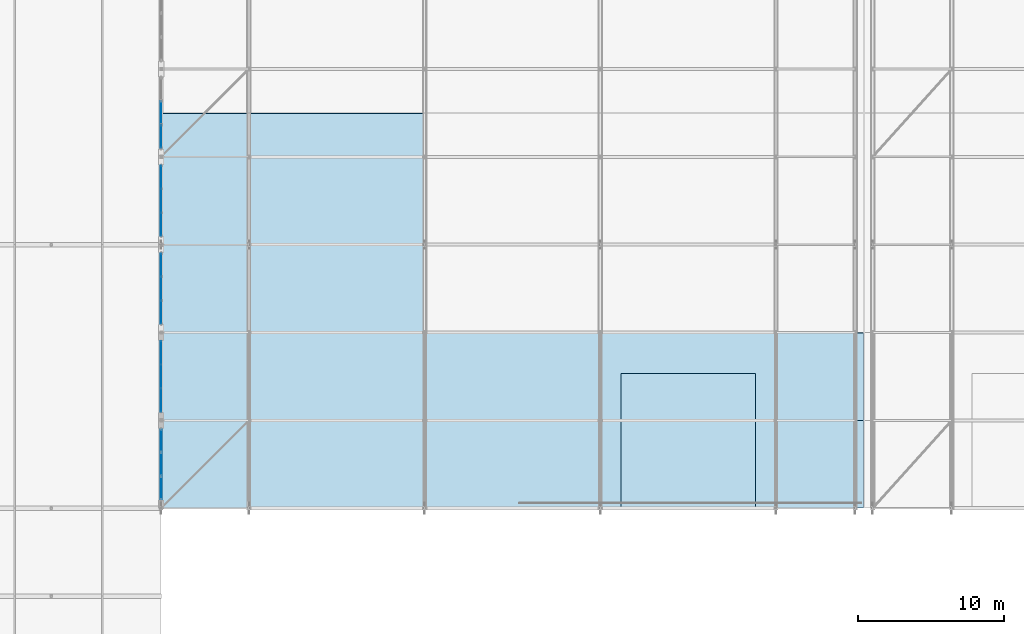
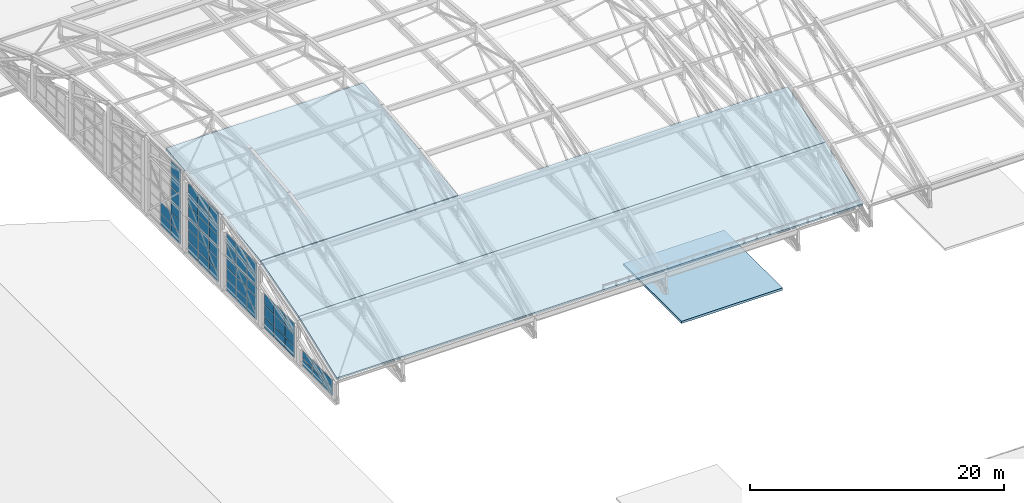
# One storey, part 160 of 204: 56 plates, 4 slabs, 9 elements without a shape of their own.
"""IFC4 building model written with IfcOpenShell, lengths in metres."""

from ifc_helpers import new_model, si_unit, direction, frame, origin, origin_2d, place, context, subcontext, project, spatial, polyline, rectangle, outline, extrude, material, layer, layer_set, type_object, element, aggregate, save


model = new_model("IFC4")

# Units and contexts
model_context = context("Model", 3, precision=1e-05, world=origin(), true_north=direction((0.0, 1.0)))
body_context = subcontext(model_context, "Body", "Model", "MODEL_VIEW")
ifc_project = project(units=[si_unit("LENGTHUNIT", "METRE"), si_unit("AREAUNIT", "SQUARE_METRE"), si_unit("VOLUMEUNIT", "CUBIC_METRE"), si_unit("PLANEANGLEUNIT", "RADIAN"), si_unit("MASSUNIT", "GRAM", prefix="KILO")], contexts=[model_context])

# Site, building, storey
site_placement = place(None, origin())
site = spatial("IfcSite", under=ifc_project, at=site_placement, CompositionType="ELEMENT")
building_placement = place(site_placement, origin())
building = spatial("IfcBuilding", under=site, at=building_placement, Name="Zilviju Railside Exhibition Hall", CompositionType="ELEMENT")
storey_placement = place(building_placement, frame((0.0, 0.0, 21.0)))
storey = spatial("IfcBuildingStorey", under=building, at=storey_placement, Name="RF", CompositionType="ELEMENT", Elevation=21.0)

# Curtain wall, plates
ifc_material_1 = material(Name="Thermally broken aluminium-steel triple-glazed curtain wall", Category="steel")
ifc_layer_1 = layer(ifc_material_1, 0.179931640625)
ifc_layer_set_1 = layer_set([ifc_layer_1], Name="Thermally broken aluminium-steel triple-glazed curtain wall")
curtain_wall_type_1 = type_object("IfcCurtainWallType", Name="CW-BAY-03", PredefinedType="USERDEFINED", material=ifc_layer_set_1)
curtain_wall_1_placement = place(storey_placement, origin())
curtain_wall_1 = element("IfcCurtainWall", 1, at=curtain_wall_1_placement, inside=storey, type_object=curtain_wall_type_1, Name="North Hall Arch Lower Tympanum Glazing West P5", ObjectType="GLAZED CURTAIN WALL", PredefinedType="USERDEFINED")
ifc_material_2 = material(Name="Laminated acoustic double-glazed porch unit", Category="glass")
ifc_layer_2 = layer(ifc_material_2, 0.031982421875)
ifc_layer_set_2 = layer_set([ifc_layer_2], Name="Laminated acoustic double-glazed porch unit")
plate_type_1 = type_object("IfcPlateType", Name="CWP-IGU-32", PredefinedType="CURTAIN_PANEL", material=ifc_layer_set_2)
plate_1_placement = place(storey_placement, frame((78.0, 109.381591796875, -3.5400390625), z_axis=(0.0, 0.0, 1.0), x_axis=(0.0, 1.0, 0.0)))
plate_1 = element("IfcPlate", 2, at=plate_1_placement, type_object=plate_type_1, Name="CW-03 panel 1.1", PredefinedType="CURTAIN_PANEL", context=body_context, shape_type="SweptSolid", body=[
    extrude(rectangle(XDim=1.543212890625, YDim=0.031982421875, at=origin_2d()), origin(), (0.0, 0.0, 1.0), 1.04296875),
])
plate_2_placement = place(storey_placement, frame((78.0, 109.381591796875, -2.43701171875), z_axis=(0.0, 0.0, 1.0), x_axis=(0.0, 1.0, 0.0)))
plate_2 = element("IfcPlate", 3, at=plate_2_placement, type_object=plate_type_1, Name="CW-03 panel 1.2", PredefinedType="CURTAIN_PANEL", context=body_context, shape_type="SweptSolid", body=[
    extrude(rectangle(XDim=1.543212890625, YDim=0.031982421875, at=origin_2d()), origin(), (0.0, 0.0, 1.0), 1.073974609375),
])
plate_3_placement = place(storey_placement, frame((78.0, 109.381591796875, -1.302978515625), z_axis=(0.0, 0.0, 1.0), x_axis=(0.0, 1.0, 0.0)))
plate_3 = element("IfcPlate", 4, at=plate_3_placement, type_object=plate_type_1, Name="CW-03 panel 1.3", PredefinedType="CURTAIN_PANEL", context=body_context, shape_type="SweptSolid", body=[
    extrude(rectangle(XDim=1.543212890625, YDim=0.031982421875, at=origin_2d()), origin(), (0.0, 0.0, 1.0), 1.04296875),
])
plate_4_placement = place(storey_placement, frame((78.0, 111.0, -3.5400390625), z_axis=(0.0, 0.0, 1.0), x_axis=(0.0, 1.0, 0.0)))
plate_4 = element("IfcPlate", 5, at=plate_4_placement, type_object=plate_type_1, Name="CW-03 panel 2.1", PredefinedType="CURTAIN_PANEL", context=body_context, shape_type="SweptSolid", body=[
    extrude(rectangle(XDim=1.5732421875, YDim=0.031982421875, at=origin_2d()), origin(), (0.0, 0.0, 1.0), 1.04296875),
])
plate_5_placement = place(storey_placement, frame((78.0, 111.0, -2.43701171875), z_axis=(0.0, 0.0, 1.0), x_axis=(0.0, 1.0, 0.0)))
plate_5 = element("IfcPlate", 6, at=plate_5_placement, type_object=plate_type_1, Name="CW-03 panel 2.2", PredefinedType="CURTAIN_PANEL", context=body_context, shape_type="SweptSolid", body=[
    extrude(rectangle(XDim=1.5732421875, YDim=0.031982421875, at=origin_2d()), origin(), (0.0, 0.0, 1.0), 1.073974609375),
])
aggregate(curtain_wall_1, [plate_1, plate_2, plate_3, plate_4, plate_5])

ifc_layer_3 = layer(ifc_material_1, 0.179931640625)
ifc_layer_set_3 = layer_set([ifc_layer_3], Name="Thermally broken aluminium-steel triple-glazed curtain wall")
curtain_wall_type_2 = type_object("IfcCurtainWallType", Name="CW-BAY-09", PredefinedType="USERDEFINED", material=ifc_layer_set_3)
curtain_wall_2_placement = place(storey_placement, origin())
curtain_wall_2 = element("IfcCurtainWall", 7, at=curtain_wall_2_placement, inside=storey, type_object=curtain_wall_type_2, Name="North Hall Crown Arch Tympanum Glazing West P4", ObjectType="GLAZED CURTAIN WALL", PredefinedType="USERDEFINED")
plate_6_placement = place(storey_placement, frame((78.0, 103.381591796875, -0.14013671875), z_axis=(0.0, 0.0, 1.0), x_axis=(0.0, 1.0, 0.0)))
plate_6 = element("IfcPlate", 8, at=plate_6_placement, type_object=plate_type_1, Name="CW-09 panel 1.1", PredefinedType="CURTAIN_PANEL", context=body_context, shape_type="SweptSolid", body=[
    extrude(rectangle(XDim=1.543212890625, YDim=0.031982421875, at=origin_2d()), origin(), (0.0, 0.0, 1.0), 1.029052734375),
])
plate_7_placement = place(storey_placement, frame((78.0, 103.381591796875, 0.948974609375), z_axis=(0.0, 0.0, 1.0), x_axis=(0.0, 1.0, 0.0)))
plate_7 = element("IfcPlate", 9, at=plate_7_placement, type_object=plate_type_1, Name="CW-09 panel 1.2", PredefinedType="CURTAIN_PANEL", context=body_context, shape_type="SweptSolid", body=[
    extrude(rectangle(XDim=1.543212890625, YDim=0.031982421875, at=origin_2d()), origin(), (0.0, 0.0, 1.0), 1.05810546875),
])
plate_8_placement = place(storey_placement, frame((78.0, 103.381591796875, 2.06689453125), z_axis=(0.0, 0.0, 1.0), x_axis=(0.0, 1.0, 0.0)))
plate_8 = element("IfcPlate", 10, at=plate_8_placement, type_object=plate_type_1, Name="CW-09 panel 1.3", PredefinedType="CURTAIN_PANEL", context=body_context, shape_type="SweptSolid", body=[
    extrude(rectangle(XDim=1.543212890625, YDim=0.031982421875, at=origin_2d()), origin(), (0.0, 0.0, 1.0), 1.028564453125),
])
plate_9_placement = place(storey_placement, frame((78.0, 105.0, -0.14013671875), z_axis=(0.0, 0.0, 1.0), x_axis=(0.0, 1.0, 0.0)))
plate_9 = element("IfcPlate", 11, at=plate_9_placement, type_object=plate_type_1, Name="CW-09 panel 2.1", PredefinedType="CURTAIN_PANEL", context=body_context, shape_type="SweptSolid", body=[
    extrude(rectangle(XDim=1.5732421875, YDim=0.031982421875, at=origin_2d()), origin(), (0.0, 0.0, 1.0), 1.029052734375),
])
plate_10_placement = place(storey_placement, frame((78.0, 105.0, 0.948974609375), z_axis=(0.0, 0.0, 1.0), x_axis=(0.0, 1.0, 0.0)))
plate_10 = element("IfcPlate", 12, at=plate_10_placement, type_object=plate_type_1, Name="CW-09 panel 2.2", PredefinedType="CURTAIN_PANEL", context=body_context, shape_type="SweptSolid", body=[
    extrude(rectangle(XDim=1.5732421875, YDim=0.031982421875, at=origin_2d()), origin(), (0.0, 0.0, 1.0), 1.05810546875),
])
plate_11_placement = place(storey_placement, frame((78.0, 105.0, 2.06689453125), z_axis=(0.0, 0.0, 1.0), x_axis=(0.0, 1.0, 0.0)))
plate_11 = element("IfcPlate", 13, at=plate_11_placement, type_object=plate_type_1, Name="CW-09 panel 2.3", PredefinedType="CURTAIN_PANEL", context=body_context, shape_type="SweptSolid", body=[
    extrude(rectangle(XDim=1.5732421875, YDim=0.031982421875, at=origin_2d()), origin(), (0.0, 0.0, 1.0), 1.028564453125),
])
plate_12_placement = place(storey_placement, frame((78.0, 106.618408203125, -0.14013671875), z_axis=(0.0, 0.0, 1.0), x_axis=(0.0, 1.0, 0.0)))
plate_12 = element("IfcPlate", 14, at=plate_12_placement, type_object=plate_type_1, Name="CW-09 panel 3.1", PredefinedType="CURTAIN_PANEL", context=body_context, shape_type="SweptSolid", body=[
    extrude(rectangle(XDim=1.543212890625, YDim=0.031982421875, at=origin_2d()), origin(), (0.0, 0.0, 1.0), 1.029052734375),
])
plate_13_placement = place(storey_placement, frame((78.0, 106.618408203125, 0.948974609375), z_axis=(0.0, 0.0, 1.0), x_axis=(0.0, 1.0, 0.0)))
plate_13 = element("IfcPlate", 15, at=plate_13_placement, type_object=plate_type_1, Name="CW-09 panel 3.2", PredefinedType="CURTAIN_PANEL", context=body_context, shape_type="SweptSolid", body=[
    extrude(rectangle(XDim=1.543212890625, YDim=0.031982421875, at=origin_2d()), origin(), (0.0, 0.0, 1.0), 1.05810546875),
])
plate_14_placement = place(storey_placement, frame((78.0, 106.618408203125, 2.06689453125), z_axis=(0.0, 0.0, 1.0), x_axis=(0.0, 1.0, 0.0)))
plate_14 = element("IfcPlate", 16, at=plate_14_placement, type_object=plate_type_1, Name="CW-09 panel 3.3", PredefinedType="CURTAIN_PANEL", context=body_context, shape_type="SweptSolid", body=[
    extrude(rectangle(XDim=1.543212890625, YDim=0.031982421875, at=origin_2d()), origin(), (0.0, 0.0, 1.0), 1.028564453125),
])
aggregate(curtain_wall_2, [plate_6, plate_7, plate_8, plate_9, plate_10, plate_11, plate_12, plate_13, plate_14])

ifc_layer_4 = layer(ifc_material_1, 0.179931640625)
ifc_layer_set_4 = layer_set([ifc_layer_4], Name="Thermally broken aluminium-steel triple-glazed curtain wall")
curtain_wall_type_3 = type_object("IfcCurtainWallType", Name="CW-BAY-02", PredefinedType="USERDEFINED", material=ifc_layer_set_4)
curtain_wall_3_placement = place(storey_placement, origin())
curtain_wall_3 = element("IfcCurtainWall", 17, at=curtain_wall_3_placement, inside=storey, type_object=curtain_wall_type_3, Name="North Hall Arch Lower Tympanum Glazing West P4", ObjectType="GLAZED CURTAIN WALL", PredefinedType="USERDEFINED")
ifc_material_3 = material(Name="Triple-glazed solar-control glass unit", Category="glass")
ifc_layer_5 = layer(ifc_material_3, 0.0380859375)
ifc_layer_set_5 = layer_set([ifc_layer_5], Name="Triple-glazed solar-control glass unit")
plate_type_2 = type_object("IfcPlateType", Name="CWP-IGU-38", PredefinedType="CURTAIN_PANEL", material=ifc_layer_set_5)
plate_15_placement = place(storey_placement, frame((78.0, 103.3828125, -3.53515625), z_axis=(0.0, 0.0, 1.0), x_axis=(0.0, 1.0, 0.0)))
plate_15 = element("IfcPlate", 18, at=plate_15_placement, type_object=plate_type_2, Name="CW-02 panel 1.1", PredefinedType="CURTAIN_PANEL", context=body_context, shape_type="SweptSolid", body=[
    extrude(rectangle(XDim=1.535888671875, YDim=0.0380859375, at=origin_2d()), origin(), (0.0, 0.0, 1.0), 1.035400390625),
])
plate_16_placement = place(storey_placement, frame((78.0, 103.3828125, -2.4345703125), z_axis=(0.0, 0.0, 1.0), x_axis=(0.0, 1.0, 0.0)))
plate_16 = element("IfcPlate", 19, at=plate_16_placement, type_object=plate_type_2, Name="CW-02 panel 1.2", PredefinedType="CURTAIN_PANEL", context=body_context, shape_type="SweptSolid", body=[
    extrude(rectangle(XDim=1.535888671875, YDim=0.0380859375, at=origin_2d()), origin(), (0.0, 0.0, 1.0), 1.069091796875),
])
plate_17_placement = place(storey_placement, frame((78.0, 103.3828125, -1.30029296875), z_axis=(0.0, 0.0, 1.0), x_axis=(0.0, 1.0, 0.0)))
plate_17 = element("IfcPlate", 20, at=plate_17_placement, type_object=plate_type_2, Name="CW-02 panel 1.3", PredefinedType="CURTAIN_PANEL", context=body_context, shape_type="SweptSolid", body=[
    extrude(rectangle(XDim=1.535888671875, YDim=0.0380859375, at=origin_2d()), origin(), (0.0, 0.0, 1.0), 1.035400390625),
])
plate_18_placement = place(storey_placement, frame((78.0, 105.0, -3.53515625), z_axis=(0.0, 0.0, 1.0), x_axis=(0.0, 1.0, 0.0)))
plate_18 = element("IfcPlate", 21, at=plate_18_placement, type_object=plate_type_2, Name="CW-02 panel 2.1", PredefinedType="CURTAIN_PANEL", context=body_context, shape_type="SweptSolid", body=[
    extrude(rectangle(XDim=1.568359375, YDim=0.0380859375, at=origin_2d()), origin(), (0.0, 0.0, 1.0), 1.035400390625),
])
plate_19_placement = place(storey_placement, frame((78.0, 105.0, -2.4345703125), z_axis=(0.0, 0.0, 1.0), x_axis=(0.0, 1.0, 0.0)))
plate_19 = element("IfcPlate", 22, at=plate_19_placement, type_object=plate_type_2, Name="CW-02 panel 2.2", PredefinedType="CURTAIN_PANEL", context=body_context, shape_type="SweptSolid", body=[
    extrude(rectangle(XDim=1.568359375, YDim=0.0380859375, at=origin_2d()), origin(), (0.0, 0.0, 1.0), 1.069091796875),
])
plate_20_placement = place(storey_placement, frame((78.0, 105.0, -1.30029296875), z_axis=(0.0, 0.0, 1.0), x_axis=(0.0, 1.0, 0.0)))
plate_20 = element("IfcPlate", 23, at=plate_20_placement, type_object=plate_type_2, Name="CW-02 panel 2.3", PredefinedType="CURTAIN_PANEL", context=body_context, shape_type="SweptSolid", body=[
    extrude(rectangle(XDim=1.568359375, YDim=0.0380859375, at=origin_2d()), origin(), (0.0, 0.0, 1.0), 1.035400390625),
])
plate_21_placement = place(storey_placement, frame((78.0, 106.6171875, -3.53515625), z_axis=(0.0, 0.0, 1.0), x_axis=(0.0, 1.0, 0.0)))
plate_21 = element("IfcPlate", 24, at=plate_21_placement, type_object=plate_type_2, Name="CW-02 panel 3.1", PredefinedType="CURTAIN_PANEL", context=body_context, shape_type="SweptSolid", body=[
    extrude(rectangle(XDim=1.535888671875, YDim=0.0380859375, at=origin_2d()), origin(), (0.0, 0.0, 1.0), 1.035400390625),
])
plate_22_placement = place(storey_placement, frame((78.0, 106.6171875, -2.4345703125), z_axis=(0.0, 0.0, 1.0), x_axis=(0.0, 1.0, 0.0)))
plate_22 = element("IfcPlate", 25, at=plate_22_placement, type_object=plate_type_2, Name="CW-02 panel 3.2", PredefinedType="CURTAIN_PANEL", context=body_context, shape_type="SweptSolid", body=[
    extrude(rectangle(XDim=1.535888671875, YDim=0.0380859375, at=origin_2d()), origin(), (0.0, 0.0, 1.0), 1.069091796875),
])
plate_23_placement = place(storey_placement, frame((78.0, 106.6171875, -1.30029296875), z_axis=(0.0, 0.0, 1.0), x_axis=(0.0, 1.0, 0.0)))
plate_23 = element("IfcPlate", 26, at=plate_23_placement, type_object=plate_type_2, Name="CW-02 panel 3.3", PredefinedType="CURTAIN_PANEL", context=body_context, shape_type="SweptSolid", body=[
    extrude(rectangle(XDim=1.535888671875, YDim=0.0380859375, at=origin_2d()), origin(), (0.0, 0.0, 1.0), 1.035400390625),
])
aggregate(curtain_wall_3, [plate_15, plate_16, plate_17, plate_18, plate_19, plate_20, plate_21, plate_22, plate_23])

ifc_layer_6 = layer(ifc_material_1, 0.179931640625)
ifc_layer_set_6 = layer_set([ifc_layer_6], Name="Thermally broken aluminium-steel triple-glazed curtain wall")
curtain_wall_type_4 = type_object("IfcCurtainWallType", Name="CW-BAY-08", PredefinedType="USERDEFINED", material=ifc_layer_set_6)
curtain_wall_4_placement = place(storey_placement, origin())
curtain_wall_4 = element("IfcCurtainWall", 27, at=curtain_wall_4_placement, inside=storey, type_object=curtain_wall_type_4, Name="North Hall Crown Arch Tympanum Glazing West P3", ObjectType="GLAZED CURTAIN WALL", PredefinedType="USERDEFINED")
plate_24_placement = place(storey_placement, frame((78.0, 97.3828125, -0.13525390625), z_axis=(0.0, 0.0, 1.0), x_axis=(0.0, 1.0, 0.0)))
plate_24 = element("IfcPlate", 28, at=plate_24_placement, type_object=plate_type_2, Name="CW-08 panel 1.1", PredefinedType="CURTAIN_PANEL", context=body_context, shape_type="SweptSolid", body=[
    extrude(rectangle(XDim=1.535888671875, YDim=0.0380859375, at=origin_2d()), origin(), (0.0, 0.0, 1.0), 1.007568359375),
])
plate_25_placement = place(storey_placement, frame((78.0, 97.3828125, 0.9375), z_axis=(0.0, 0.0, 1.0), x_axis=(0.0, 1.0, 0.0)))
plate_25 = element("IfcPlate", 29, at=plate_25_placement, type_object=plate_type_2, Name="CW-08 panel 1.2", PredefinedType="CURTAIN_PANEL", context=body_context, shape_type="SweptSolid", body=[
    extrude(rectangle(XDim=1.535888671875, YDim=0.0380859375, at=origin_2d()), origin(), (0.0, 0.0, 1.0), 1.00732421875),
])
plate_26_placement = place(storey_placement, frame((78.0, 99.0, -0.13525390625), z_axis=(0.0, 0.0, 1.0), x_axis=(0.0, 1.0, 0.0)))
plate_26 = element("IfcPlate", 30, at=plate_26_placement, type_object=plate_type_2, Name="CW-08 panel 2.1", PredefinedType="CURTAIN_PANEL", context=body_context, shape_type="SweptSolid", body=[
    extrude(rectangle(XDim=1.568359375, YDim=0.0380859375, at=origin_2d()), origin(), (0.0, 0.0, 1.0), 1.007568359375),
])
plate_27_placement = place(storey_placement, frame((78.0, 99.0, 0.9375), z_axis=(0.0, 0.0, 1.0), x_axis=(0.0, 1.0, 0.0)))
plate_27 = element("IfcPlate", 31, at=plate_27_placement, type_object=plate_type_2, Name="CW-08 panel 2.2", PredefinedType="CURTAIN_PANEL", context=body_context, shape_type="SweptSolid", body=[
    extrude(rectangle(XDim=1.568359375, YDim=0.0380859375, at=origin_2d()), origin(), (0.0, 0.0, 1.0), 1.00732421875),
])
plate_28_placement = place(storey_placement, frame((78.0, 100.6171875, -0.13525390625), z_axis=(0.0, 0.0, 1.0), x_axis=(0.0, 1.0, 0.0)))
plate_28 = element("IfcPlate", 32, at=plate_28_placement, type_object=plate_type_2, Name="CW-08 panel 3.1", PredefinedType="CURTAIN_PANEL", context=body_context, shape_type="SweptSolid", body=[
    extrude(rectangle(XDim=1.535888671875, YDim=0.0380859375, at=origin_2d()), origin(), (0.0, 0.0, 1.0), 1.007568359375),
])
plate_29_placement = place(storey_placement, frame((78.0, 100.6171875, 0.9375), z_axis=(0.0, 0.0, 1.0), x_axis=(0.0, 1.0, 0.0)))
plate_29 = element("IfcPlate", 33, at=plate_29_placement, type_object=plate_type_2, Name="CW-08 panel 3.2", PredefinedType="CURTAIN_PANEL", context=body_context, shape_type="SweptSolid", body=[
    extrude(rectangle(XDim=1.535888671875, YDim=0.0380859375, at=origin_2d()), origin(), (0.0, 0.0, 1.0), 1.00732421875),
])
aggregate(curtain_wall_4, [plate_24, plate_25, plate_26, plate_27, plate_28, plate_29])

ifc_layer_7 = layer(ifc_material_1, 0.179931640625)
ifc_layer_set_7 = layer_set([ifc_layer_7], Name="Thermally broken aluminium-steel triple-glazed curtain wall")
curtain_wall_type_5 = type_object("IfcCurtainWallType", Name="CW-BAY-20", PredefinedType="USERDEFINED", material=ifc_layer_set_7)
curtain_wall_5_placement = place(storey_placement, origin())
curtain_wall_5 = element("IfcCurtainWall", 34, at=curtain_wall_5_placement, inside=storey, type_object=curtain_wall_type_5, Name="North Hall Arch Lower Tympanum Glazing West P2", ObjectType="GLAZED CURTAIN WALL", PredefinedType="USERDEFINED")
ifc_material_4 = material(Name="Triple-glazed low-E argon insulating glass unit", Category="glass")
ifc_layer_8 = layer(ifc_material_4, 0.0439453125)
ifc_layer_set_8 = layer_set([ifc_layer_8], Name="Triple-glazed low-E argon insulating glass unit")
plate_type_3 = type_object("IfcPlateType", Name="CWP-IGU-44", PredefinedType="CURTAIN_PANEL", material=ifc_layer_set_8)
plate_30_placement = place(storey_placement, frame((78.0, 91.38037109375, -3.544921875), z_axis=(0.0, 0.0, 1.0), x_axis=(0.0, 1.0, 0.0)))
plate_30 = element("IfcPlate", 35, at=plate_30_placement, type_object=plate_type_3, Name="CW-20 panel 1.1", PredefinedType="CURTAIN_PANEL", context=body_context, shape_type="SweptSolid", body=[
    extrude(rectangle(XDim=1.55078125, YDim=0.0439453125, at=origin_2d()), origin(), (0.0, 0.0, 1.0), 1.050537109375),
])
plate_31_placement = place(storey_placement, frame((78.0, 91.38037109375, -2.439453125), z_axis=(0.0, 0.0, 1.0), x_axis=(0.0, 1.0, 0.0)))
plate_31 = element("IfcPlate", 36, at=plate_31_placement, type_object=plate_type_3, Name="CW-20 panel 1.2", PredefinedType="CURTAIN_PANEL", context=body_context, shape_type="SweptSolid", body=[
    extrude(rectangle(XDim=1.55078125, YDim=0.0439453125, at=origin_2d()), origin(), (0.0, 0.0, 1.0), 1.0791015625),
])
plate_32_placement = place(storey_placement, frame((78.0, 91.38037109375, -1.3056640625), z_axis=(0.0, 0.0, 1.0), x_axis=(0.0, 1.0, 0.0)))
plate_32 = element("IfcPlate", 37, at=plate_32_placement, type_object=plate_type_3, Name="CW-20 panel 1.3", PredefinedType="CURTAIN_PANEL", context=body_context, shape_type="SweptSolid", body=[
    extrude(rectangle(XDim=1.55078125, YDim=0.0439453125, at=origin_2d()), origin(), (0.0, 0.0, 1.0), 1.050537109375),
])
plate_33_placement = place(storey_placement, frame((78.0, 93.0, -3.544921875), z_axis=(0.0, 0.0, 1.0), x_axis=(0.0, 1.0, 0.0)))
plate_33 = element("IfcPlate", 38, at=plate_33_placement, type_object=plate_type_3, Name="CW-20 panel 2.1", PredefinedType="CURTAIN_PANEL", context=body_context, shape_type="SweptSolid", body=[
    extrude(rectangle(XDim=1.578369140625, YDim=0.0439453125, at=origin_2d()), origin(), (0.0, 0.0, 1.0), 1.050537109375),
])
plate_34_placement = place(storey_placement, frame((78.0, 93.0, -2.439453125), z_axis=(0.0, 0.0, 1.0), x_axis=(0.0, 1.0, 0.0)))
plate_34 = element("IfcPlate", 39, at=plate_34_placement, type_object=plate_type_3, Name="CW-20 panel 2.2", PredefinedType="CURTAIN_PANEL", context=body_context, shape_type="SweptSolid", body=[
    extrude(rectangle(XDim=1.578369140625, YDim=0.0439453125, at=origin_2d()), origin(), (0.0, 0.0, 1.0), 1.0791015625),
])
plate_35_placement = place(storey_placement, frame((78.0, 93.0, -1.3056640625), z_axis=(0.0, 0.0, 1.0), x_axis=(0.0, 1.0, 0.0)))
plate_35 = element("IfcPlate", 40, at=plate_35_placement, type_object=plate_type_3, Name="CW-20 panel 2.3", PredefinedType="CURTAIN_PANEL", context=body_context, shape_type="SweptSolid", body=[
    extrude(rectangle(XDim=1.578369140625, YDim=0.0439453125, at=origin_2d()), origin(), (0.0, 0.0, 1.0), 1.050537109375),
])
plate_36_placement = place(storey_placement, frame((78.0, 94.61962890625, -3.544921875), z_axis=(0.0, 0.0, 1.0), x_axis=(0.0, 1.0, 0.0)))
plate_36 = element("IfcPlate", 41, at=plate_36_placement, type_object=plate_type_3, Name="CW-20 panel 3.1", PredefinedType="CURTAIN_PANEL", context=body_context, shape_type="SweptSolid", body=[
    extrude(rectangle(XDim=1.55078125, YDim=0.0439453125, at=origin_2d()), origin(), (0.0, 0.0, 1.0), 1.050537109375),
])
plate_37_placement = place(storey_placement, frame((78.0, 94.61962890625, -2.439453125), z_axis=(0.0, 0.0, 1.0), x_axis=(0.0, 1.0, 0.0)))
plate_37 = element("IfcPlate", 42, at=plate_37_placement, type_object=plate_type_3, Name="CW-20 panel 3.2", PredefinedType="CURTAIN_PANEL", context=body_context, shape_type="SweptSolid", body=[
    extrude(rectangle(XDim=1.55078125, YDim=0.0439453125, at=origin_2d()), origin(), (0.0, 0.0, 1.0), 1.0791015625),
])
plate_38_placement = place(storey_placement, frame((78.0, 94.61962890625, -1.3056640625), z_axis=(0.0, 0.0, 1.0), x_axis=(0.0, 1.0, 0.0)))
plate_38 = element("IfcPlate", 43, at=plate_38_placement, type_object=plate_type_3, Name="CW-20 panel 3.3", PredefinedType="CURTAIN_PANEL", context=body_context, shape_type="SweptSolid", body=[
    extrude(rectangle(XDim=1.55078125, YDim=0.0439453125, at=origin_2d()), origin(), (0.0, 0.0, 1.0), 1.050537109375),
])
aggregate(curtain_wall_5, [plate_30, plate_31, plate_32, plate_33, plate_34, plate_35, plate_36, plate_37, plate_38])

ifc_layer_9 = layer(ifc_material_1, 0.179931640625)
ifc_layer_set_9 = layer_set([ifc_layer_9], Name="Thermally broken aluminium-steel triple-glazed curtain wall")
curtain_wall_type_6 = type_object("IfcCurtainWallType", Name="CW-BAY-01", PredefinedType="USERDEFINED", material=ifc_layer_set_9)
curtain_wall_6_placement = place(storey_placement, origin())
curtain_wall_6 = element("IfcCurtainWall", 44, at=curtain_wall_6_placement, inside=storey, type_object=curtain_wall_type_6, Name="North Hall Arch Lower Tympanum Glazing West P3", ObjectType="GLAZED CURTAIN WALL", PredefinedType="USERDEFINED")
plate_39_placement = place(storey_placement, frame((78.0, 97.38427734375, -3.5302734375), z_axis=(0.0, 0.0, 1.0), x_axis=(0.0, 1.0, 0.0)))
plate_39 = element("IfcPlate", 45, at=plate_39_placement, type_object=plate_type_3, Name="CW-01 panel 1.1", PredefinedType="CURTAIN_PANEL", context=body_context, shape_type="SweptSolid", body=[
    extrude(rectangle(XDim=1.5283203125, YDim=0.0439453125, at=origin_2d()), origin(), (0.0, 0.0, 1.0), 1.028076171875),
])
plate_40_placement = place(storey_placement, frame((78.0, 97.38427734375, -2.431884765625), z_axis=(0.0, 0.0, 1.0), x_axis=(0.0, 1.0, 0.0)))
plate_40 = element("IfcPlate", 46, at=plate_40_placement, type_object=plate_type_3, Name="CW-01 panel 1.2", PredefinedType="CURTAIN_PANEL", context=body_context, shape_type="SweptSolid", body=[
    extrude(rectangle(XDim=1.5283203125, YDim=0.0439453125, at=origin_2d()), origin(), (0.0, 0.0, 1.0), 1.06396484375),
])
plate_41_placement = place(storey_placement, frame((78.0, 97.38427734375, -1.2978515625), z_axis=(0.0, 0.0, 1.0), x_axis=(0.0, 1.0, 0.0)))
plate_41 = element("IfcPlate", 47, at=plate_41_placement, type_object=plate_type_3, Name="CW-01 panel 1.3", PredefinedType="CURTAIN_PANEL", context=body_context, shape_type="SweptSolid", body=[
    extrude(rectangle(XDim=1.5283203125, YDim=0.0439453125, at=origin_2d()), origin(), (0.0, 0.0, 1.0), 1.028076171875),
])
plate_42_placement = place(storey_placement, frame((78.0, 99.0, -3.5302734375), z_axis=(0.0, 0.0, 1.0), x_axis=(0.0, 1.0, 0.0)))
plate_42 = element("IfcPlate", 48, at=plate_42_placement, type_object=plate_type_3, Name="CW-01 panel 2.1", PredefinedType="CURTAIN_PANEL", context=body_context, shape_type="SweptSolid", body=[
    extrude(rectangle(XDim=1.563232421875, YDim=0.0439453125, at=origin_2d()), origin(), (0.0, 0.0, 1.0), 1.028076171875),
])
plate_43_placement = place(storey_placement, frame((78.0, 99.0, -2.431884765625), z_axis=(0.0, 0.0, 1.0), x_axis=(0.0, 1.0, 0.0)))
plate_43 = element("IfcPlate", 49, at=plate_43_placement, type_object=plate_type_3, Name="CW-01 panel 2.2", PredefinedType="CURTAIN_PANEL", context=body_context, shape_type="SweptSolid", body=[
    extrude(rectangle(XDim=1.563232421875, YDim=0.0439453125, at=origin_2d()), origin(), (0.0, 0.0, 1.0), 1.06396484375),
])
plate_44_placement = place(storey_placement, frame((78.0, 99.0, -1.2978515625), z_axis=(0.0, 0.0, 1.0), x_axis=(0.0, 1.0, 0.0)))
plate_44 = element("IfcPlate", 50, at=plate_44_placement, type_object=plate_type_3, Name="CW-01 panel 2.3", PredefinedType="CURTAIN_PANEL", context=body_context, shape_type="SweptSolid", body=[
    extrude(rectangle(XDim=1.563232421875, YDim=0.0439453125, at=origin_2d()), origin(), (0.0, 0.0, 1.0), 1.028076171875),
])
plate_45_placement = place(storey_placement, frame((78.0, 100.61572265625, -3.5302734375), z_axis=(0.0, 0.0, 1.0), x_axis=(0.0, 1.0, 0.0)))
plate_45 = element("IfcPlate", 51, at=plate_45_placement, type_object=plate_type_3, Name="CW-01 panel 3.1", PredefinedType="CURTAIN_PANEL", context=body_context, shape_type="SweptSolid", body=[
    extrude(rectangle(XDim=1.5283203125, YDim=0.0439453125, at=origin_2d()), origin(), (0.0, 0.0, 1.0), 1.028076171875),
])
plate_46_placement = place(storey_placement, frame((78.0, 100.61572265625, -2.431884765625), z_axis=(0.0, 0.0, 1.0), x_axis=(0.0, 1.0, 0.0)))
plate_46 = element("IfcPlate", 52, at=plate_46_placement, type_object=plate_type_3, Name="CW-01 panel 3.2", PredefinedType="CURTAIN_PANEL", context=body_context, shape_type="SweptSolid", body=[
    extrude(rectangle(XDim=1.5283203125, YDim=0.0439453125, at=origin_2d()), origin(), (0.0, 0.0, 1.0), 1.06396484375),
])
plate_47_placement = place(storey_placement, frame((78.0, 100.61572265625, -1.2978515625), z_axis=(0.0, 0.0, 1.0), x_axis=(0.0, 1.0, 0.0)))
plate_47 = element("IfcPlate", 53, at=plate_47_placement, type_object=plate_type_3, Name="CW-01 panel 3.3", PredefinedType="CURTAIN_PANEL", context=body_context, shape_type="SweptSolid", body=[
    extrude(rectangle(XDim=1.5283203125, YDim=0.0439453125, at=origin_2d()), origin(), (0.0, 0.0, 1.0), 1.028076171875),
])
aggregate(curtain_wall_6, [plate_39, plate_40, plate_41, plate_42, plate_43, plate_44, plate_45, plate_46, plate_47])

ifc_layer_10 = layer(ifc_material_1, 0.179931640625)
ifc_layer_set_10 = layer_set([ifc_layer_10], Name="Thermally broken aluminium-steel triple-glazed curtain wall")
curtain_wall_type_7 = type_object("IfcCurtainWallType", Name="CW-BAY-10", PredefinedType="USERDEFINED", material=ifc_layer_set_10)
curtain_wall_7_placement = place(storey_placement, origin())
curtain_wall_7 = element("IfcCurtainWall", 54, at=curtain_wall_7_placement, inside=storey, type_object=curtain_wall_type_7, Name="North Hall Crown Arch Tympanum Glazing West P5", ObjectType="GLAZED CURTAIN WALL", PredefinedType="USERDEFINED")
ifc_material_5 = material(Name="Insulated cobalt-blue enamelled spandrel glass panel", Category="glass")
ifc_layer_11 = layer(ifc_material_5, 0.052001953125)
ifc_layer_set_11 = layer_set([ifc_layer_11], Name="Insulated cobalt-blue enamelled spandrel glass panel")
plate_type_4 = type_object("IfcPlateType", Name="CWP-SPD-52", PredefinedType="CURTAIN_PANEL", material=ifc_layer_set_11)
plate_48_placement = place(storey_placement, frame((78.0, 109.38671875, -0.119873046875), z_axis=(0.0, 0.0, 1.0), x_axis=(0.0, 1.0, 0.0)))
plate_48 = element("IfcPlate", 55, at=plate_48_placement, type_object=plate_type_4, Name="CW-10 panel 1.1", PredefinedType="CURTAIN_PANEL", context=body_context, shape_type="SweptSolid", body=[
    extrude(rectangle(XDim=1.513427734375, YDim=0.052001953125, at=origin_2d()), origin(), (0.0, 0.0, 1.0), 1.18896484375),
])
plate_49_placement = place(storey_placement, frame((78.0, 109.38671875, 1.14892578125), z_axis=(0.0, 0.0, 1.0), x_axis=(0.0, 1.0, 0.0)))
plate_49 = element("IfcPlate", 56, at=plate_49_placement, type_object=plate_type_4, Name="CW-10 panel 1.2", PredefinedType="CURTAIN_PANEL", context=body_context, shape_type="SweptSolid", body=[
    extrude(rectangle(XDim=1.513427734375, YDim=0.052001953125, at=origin_2d()), origin(), (0.0, 0.0, 1.0), 1.22998046875),
])
plate_50_placement = place(storey_placement, frame((78.0, 109.38671875, 2.458984375), z_axis=(0.0, 0.0, 1.0), x_axis=(0.0, 1.0, 0.0)))
plate_50 = element("IfcPlate", 57, at=plate_50_placement, type_object=plate_type_4, Name="CW-10 panel 1.3", PredefinedType="CURTAIN_PANEL", context=body_context, shape_type="SweptSolid", body=[
    extrude(rectangle(XDim=1.513427734375, YDim=0.052001953125, at=origin_2d()), origin(), (0.0, 0.0, 1.0), 1.189453125),
])
aggregate(curtain_wall_7, [plate_48, plate_49, plate_50])

ifc_layer_12 = layer(ifc_material_1, 0.179931640625)
ifc_layer_set_12 = layer_set([ifc_layer_12], Name="Thermally broken aluminium-steel triple-glazed curtain wall")
curtain_wall_type_8 = type_object("IfcCurtainWallType", Name="CW-BAY-19", PredefinedType="USERDEFINED", material=ifc_layer_set_12)
curtain_wall_8_placement = place(storey_placement, origin())
curtain_wall_8 = element("IfcCurtainWall", 58, at=curtain_wall_8_placement, inside=storey, type_object=curtain_wall_type_8, Name="North Hall Arch Lower Tympanum Glazing West P1", ObjectType="GLAZED CURTAIN WALL", PredefinedType="USERDEFINED")
ifc_material_6 = material(Name="Insulated emerald ceramic-frit spandrel panel", Category="glass")
ifc_layer_13 = layer(ifc_material_6, 0.06396484375)
ifc_layer_set_13 = layer_set([ifc_layer_13], Name="Insulated emerald ceramic-frit spandrel panel")
plate_type_5 = type_object("IfcPlateType", Name="CWP-SPD-64", PredefinedType="CURTAIN_PANEL", material=ifc_layer_set_13)
plate_51_placement = place(storey_placement, frame((78.0, 85.385498046875, -3.52490234375), z_axis=(0.0, 0.0, 1.0), x_axis=(0.0, 1.0, 0.0)))
plate_51 = element("IfcPlate", 59, at=plate_51_placement, type_object=plate_type_5, Name="CW-19 panel 1.1", PredefinedType="CURTAIN_PANEL", context=body_context, shape_type="SweptSolid", body=[
    extrude(rectangle(XDim=1.520751953125, YDim=0.06396484375, at=origin_2d()), origin(), (0.0, 0.0, 1.0), 0.6875),
])
plate_52_placement = place(storey_placement, frame((78.0, 85.385498046875, -2.762451171875), z_axis=(0.0, 0.0, 1.0), x_axis=(0.0, 1.0, 0.0)))
plate_52 = element("IfcPlate", 60, at=plate_52_placement, type_object=plate_type_5, Name="CW-19 panel 1.2", PredefinedType="CURTAIN_PANEL", context=body_context, shape_type="SweptSolid", body=[
    extrude(rectangle(XDim=1.520751953125, YDim=0.06396484375, at=origin_2d()), origin(), (0.0, 0.0, 1.0), 0.6875),
])
plate_53_placement = place(storey_placement, frame((78.0, 87.0, -3.52490234375), z_axis=(0.0, 0.0, 1.0), x_axis=(0.0, 1.0, 0.0)))
plate_53 = element("IfcPlate", 61, at=plate_53_placement, type_object=plate_type_5, Name="CW-19 panel 2.1", PredefinedType="CURTAIN_PANEL", context=body_context, shape_type="SweptSolid", body=[
    extrude(rectangle(XDim=1.558349609375, YDim=0.06396484375, at=origin_2d()), origin(), (0.0, 0.0, 1.0), 0.6875),
])
plate_54_placement = place(storey_placement, frame((78.0, 87.0, -2.762451171875), z_axis=(0.0, 0.0, 1.0), x_axis=(0.0, 1.0, 0.0)))
plate_54 = element("IfcPlate", 62, at=plate_54_placement, type_object=plate_type_5, Name="CW-19 panel 2.2", PredefinedType="CURTAIN_PANEL", context=body_context, shape_type="SweptSolid", body=[
    extrude(rectangle(XDim=1.558349609375, YDim=0.06396484375, at=origin_2d()), origin(), (0.0, 0.0, 1.0), 0.6875),
])
plate_55_placement = place(storey_placement, frame((78.0, 88.614501953125, -3.52490234375), z_axis=(0.0, 0.0, 1.0), x_axis=(0.0, 1.0, 0.0)))
plate_55 = element("IfcPlate", 63, at=plate_55_placement, type_object=plate_type_5, Name="CW-19 panel 3.1", PredefinedType="CURTAIN_PANEL", context=body_context, shape_type="SweptSolid", body=[
    extrude(rectangle(XDim=1.520751953125, YDim=0.06396484375, at=origin_2d()), origin(), (0.0, 0.0, 1.0), 0.6875),
])
plate_56_placement = place(storey_placement, frame((78.0, 88.614501953125, -2.762451171875), z_axis=(0.0, 0.0, 1.0), x_axis=(0.0, 1.0, 0.0)))
plate_56 = element("IfcPlate", 64, at=plate_56_placement, type_object=plate_type_5, Name="CW-19 panel 3.2", PredefinedType="CURTAIN_PANEL", context=body_context, shape_type="SweptSolid", body=[
    extrude(rectangle(XDim=1.520751953125, YDim=0.06396484375, at=origin_2d()), origin(), (0.0, 0.0, 1.0), 0.6875),
])
aggregate(curtain_wall_8, [plate_51, plate_52, plate_53, plate_54, plate_55, plate_56])

# Slab
ifc_material_7 = material(Name="Concrete C35/45", Category="concrete")
ifc_layer_14 = layer(ifc_material_7, 0.219970703125)
ifc_layer_set_14 = layer_set([ifc_layer_14], Name="Concrete C35/45")
slab_type_1 = type_object("IfcSlabType", Name="SL-RCAP-220", PredefinedType="ROOF", material=ifc_layer_set_14)
slab_1_placement = place(storey_placement, frame((0.0, 0.0, -7.219970703125)))
element("IfcSlab", 65, at=slab_1_placement, inside=storey, type_object=slab_type_1, Name="Core C04 North Hall Court West Overrun Roof Cap", PredefinedType="ROOF", context=body_context, shape_type="SweptSolid", body=[
    extrude(outline(polyline([(109.39990234375, 84.0), (118.60009765625, 84.0), (118.60009765625, 93.199951171875), (109.39990234375, 93.199951171875), (109.39990234375, 84.0)])), origin(), (0.0, 0.0, 1.0), 0.219970703125),
])

# Roof, slabs
ifc_material_8 = material(Name="Standing-seam zinc-copper acoustic barrel roof deck", Category="steel")
ifc_layer_15 = layer(ifc_material_8, 0.239990234375)
ifc_layer_set_15 = layer_set([ifc_layer_15], Name="Standing-seam zinc-copper acoustic barrel roof deck")
roof_type = type_object("IfcRoofType", Name="ROOF-BARREL-ZINC", PredefinedType="BARREL_ROOF", material=ifc_layer_set_15)
roof_placement = place(storey_placement, origin())
roof = element("IfcRoof", 66, at=roof_placement, inside=storey, type_object=roof_type, Name="V2 Standing-Seam Barrel Vault Roof Block 1", PredefinedType="BARREL_ROOF")
ifc_layer_16 = layer(ifc_material_7, 0.239990234375)
ifc_layer_set_16 = layer_set([ifc_layer_16], Name="Concrete C35/45")
slab_type_2 = type_object("IfcSlabType", Name="SL-ROOF-240", PredefinedType="ROOF", material=ifc_layer_set_16)
slab_2_placement = place(storey_placement, frame((78.0, 84.0, -1.465087890625), z_axis=(0.0, -0.35678239229, 0.934187521086), x_axis=(1.0, 0.0, 0.0)))
slab_2 = element("IfcSlab", 67, at=slab_2_placement, type_object=slab_type_2, Name="V2 Barrel Vault Roof Deck B1.1", PredefinedType="ROOF", context=body_context, shape_type="SweptSolid", body=[
    extrude(outline(polyline([(0.0, 0.0), (47.969970703125, 0.0), (47.969970703125, 6.422693372126603), (0.0, 6.422693372126603), (0.0, 0.0)])), origin(), (0.0, 0.0, -1.0), 0.239990234375),
])
slab_3_placement = place(storey_placement, frame((78.0, 90.0, 0.826416015625), z_axis=(0.0, -0.275317695381, 0.961353299578), x_axis=(1.0, 0.0, 0.0)))
slab_3 = element("IfcSlab", 68, at=slab_3_placement, type_object=slab_type_2, Name="V2 Barrel Vault Roof Deck B1.2", PredefinedType="ROOF", context=body_context, shape_type="SweptSolid", body=[
    extrude(outline(polyline([(0.0, 0.0), (47.969970703125, 0.0), (47.969970703125, 6.2152984328136895), (0.0, 6.2152984328136895), (0.0, 0.0)])), origin(), (0.0, 0.0, -1.0), 0.239990234375),
])
slab_4_placement = place(storey_placement, frame((78.0, 96.02490234375, 2.5478515625), z_axis=(0.0, -0.118492781909, 0.992954913697), x_axis=(1.0, 0.0, 0.0)))
slab_4 = element("IfcSlab", 69, at=slab_4_placement, type_object=slab_type_2, Name="V2 Barrel Vault Roof Deck B1.3", PredefinedType="ROOF", context=body_context, shape_type="SweptSolid", body=[
    extrude(outline(polyline([(0.0, 0.0), (18.0, 0.0), (18.0, 15.051104690874256), (0.0, 15.051104690874256), (0.0, 0.0)])), origin(), (0.0, 0.0, -1.0), 0.239990234375),
])
aggregate(roof, [slab_2, slab_3, slab_4])

save(model, "model.ifc")
